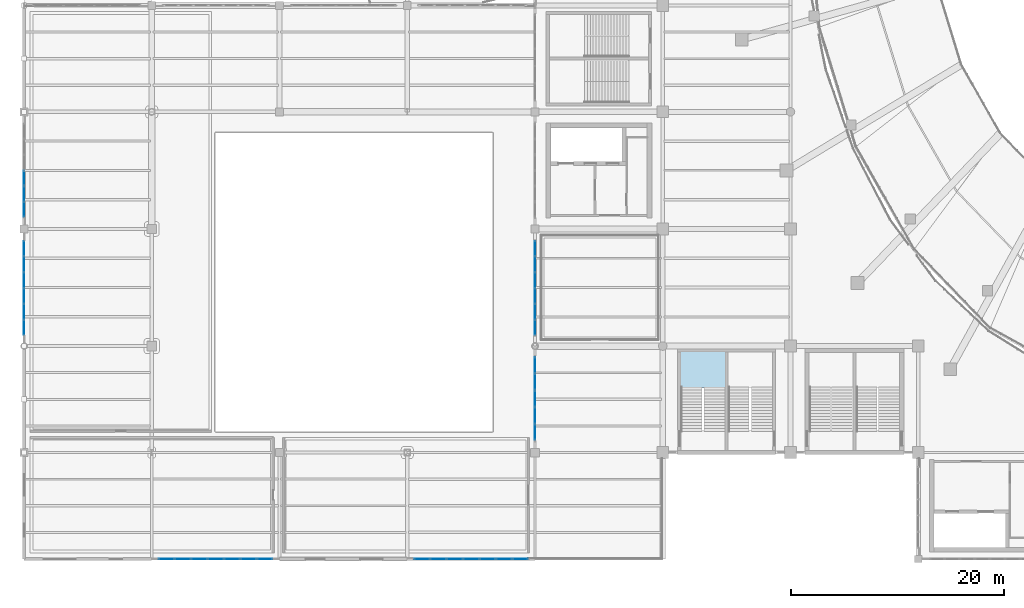
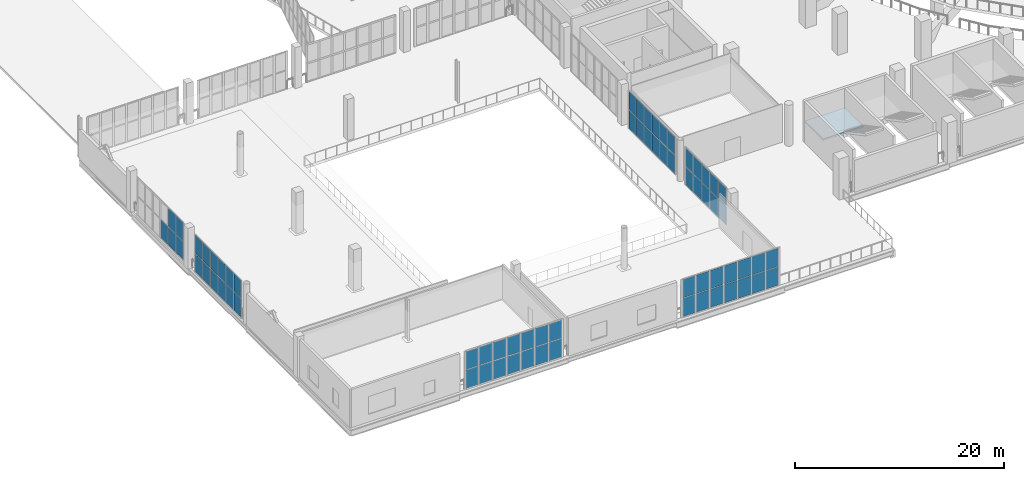
# One storey, part 92 of 136: 67 plates, 1 slab, 7 elements without a shape of their own.
"""IFC4 building model written with IfcOpenShell, lengths in metres."""

from ifc_helpers import new_model, si_unit, direction, frame, origin, origin_2d, place, context, subcontext, project, spatial, polyline, rectangle, outline, extrude, material, layer, layer_set, type_object, element, aggregate, save


model = new_model("IFC4")

# Units and contexts
model_context = context("Model", 3, precision=1e-05, world=origin(), true_north=direction((0.0, 1.0)))
body_context = subcontext(model_context, "Body", "Model", "MODEL_VIEW")
ifc_project = project(units=[si_unit("LENGTHUNIT", "METRE"), si_unit("AREAUNIT", "SQUARE_METRE"), si_unit("VOLUMEUNIT", "CUBIC_METRE"), si_unit("PLANEANGLEUNIT", "RADIAN"), si_unit("MASSUNIT", "GRAM", prefix="KILO")], contexts=[model_context])

# Site, building, storey
site_placement = place(None, origin())
site = spatial("IfcSite", under=ifc_project, at=site_placement, CompositionType="ELEMENT")
building_placement = place(site_placement, origin())
building = spatial("IfcBuilding", under=site, at=building_placement, Name="Brinegate Civic Arena", CompositionType="ELEMENT")
storey_placement = place(building_placement, frame((0.0, 0.0, 5.39990234375)))
storey = spatial("IfcBuildingStorey", under=building, at=storey_placement, Name="L01", CompositionType="ELEMENT", Elevation=5.39990234375)

# Curtain wall, plates
ifc_material_1 = material(Name="Marine grade aluminium", Category="aluminium")
ifc_layer_1 = layer(ifc_material_1, 0.18505859375, Name="Marine grade aluminium")
ifc_layer_set_1 = layer_set([ifc_layer_1], Name="Marine grade aluminium")
curtain_wall_type_1 = type_object("IfcCurtainWallType", Name="CW-WING-GLAZED-03", PredefinedType="USERDEFINED", material=ifc_layer_set_1)
curtain_wall_1_placement = place(storey_placement, origin())
curtain_wall_1 = element("IfcCurtainWall", 1, at=curtain_wall_1_placement, inside=storey, type_object=curtain_wall_type_1, Name="Curtain Wall CWA-012", ObjectType="GLAZED CURTAIN WALL", PredefinedType="USERDEFINED")
ifc_material_2 = material(Name="Hurricane laminated low-E glass", Category="glass")
ifc_layer_2 = layer(ifc_material_2, 0.028076171875, Name="Hurricane laminated low-E glass")
ifc_layer_set_2 = layer_set([ifc_layer_2], Name="Hurricane laminated low-E glass")
plate_type_1 = type_object("IfcPlateType", Name="CW-PANEL-GLAZED-28", PredefinedType="CURTAIN_PANEL", material=ifc_layer_set_2)
plate_1_placement = place(storey_placement, frame((0.0, 21.7421875, 0.06494140625), z_axis=(0.0, 0.0, 1.0), x_axis=(0.0, 1.0, 0.0)))
plate_1 = element("IfcPlate", 2, at=plate_1_placement, type_object=plate_type_1, Name="CWA-012 panel 1.1", PredefinedType="CURTAIN_PANEL", context=body_context, shape_type="SweptSolid", body=[
    extrude(rectangle(XDim=1.392333984375, YDim=0.028076171875, at=origin_2d()), origin(), (0.0, 0.0, 1.0), 2.137451171875),
])
plate_2_placement = place(storey_placement, frame((0.0, 21.7421875, 2.267578125), z_axis=(0.0, 0.0, 1.0), x_axis=(0.0, 1.0, 0.0)))
plate_2 = element("IfcPlate", 3, at=plate_2_placement, type_object=plate_type_1, Name="CWA-012 panel 1.2", PredefinedType="CURTAIN_PANEL", context=body_context, shape_type="SweptSolid", body=[
    extrude(rectangle(XDim=1.392333984375, YDim=0.028076171875, at=origin_2d()), origin(), (0.0, 0.0, 1.0), 2.137451171875),
])
plate_3_placement = place(storey_placement, frame((0.0, 23.2158203125, 0.06494140625), z_axis=(0.0, 0.0, 1.0), x_axis=(0.0, 1.0, 0.0)))
plate_3 = element("IfcPlate", 4, at=plate_3_placement, type_object=plate_type_1, Name="CWA-012 panel 2.1", PredefinedType="CURTAIN_PANEL", context=body_context, shape_type="SweptSolid", body=[
    extrude(rectangle(XDim=1.4248046875, YDim=0.028076171875, at=origin_2d()), origin(), (0.0, 0.0, 1.0), 2.137451171875),
])
plate_4_placement = place(storey_placement, frame((0.0, 23.2158203125, 2.267578125), z_axis=(0.0, 0.0, 1.0), x_axis=(0.0, 1.0, 0.0)))
plate_4 = element("IfcPlate", 5, at=plate_4_placement, type_object=plate_type_1, Name="CWA-012 panel 2.2", PredefinedType="CURTAIN_PANEL", context=body_context, shape_type="SweptSolid", body=[
    extrude(rectangle(XDim=1.4248046875, YDim=0.028076171875, at=origin_2d()), origin(), (0.0, 0.0, 1.0), 2.137451171875),
])
plate_5_placement = place(storey_placement, frame((0.0, 24.70556640625, 0.06494140625), z_axis=(0.0, 0.0, 1.0), x_axis=(0.0, 1.0, 0.0)))
plate_5 = element("IfcPlate", 6, at=plate_5_placement, type_object=plate_type_1, Name="CWA-012 panel 3.1", PredefinedType="CURTAIN_PANEL", context=body_context, shape_type="SweptSolid", body=[
    extrude(rectangle(XDim=1.4248046875, YDim=0.028076171875, at=origin_2d()), origin(), (0.0, 0.0, 1.0), 2.137451171875),
])
plate_6_placement = place(storey_placement, frame((0.0, 24.70556640625, 2.267578125), z_axis=(0.0, 0.0, 1.0), x_axis=(0.0, 1.0, 0.0)))
plate_6 = element("IfcPlate", 7, at=plate_6_placement, type_object=plate_type_1, Name="CWA-012 panel 3.2", PredefinedType="CURTAIN_PANEL", context=body_context, shape_type="SweptSolid", body=[
    extrude(rectangle(XDim=1.4248046875, YDim=0.028076171875, at=origin_2d()), origin(), (0.0, 0.0, 1.0), 2.137451171875),
])
plate_7_placement = place(storey_placement, frame((0.0, 26.1953125, 0.06494140625), z_axis=(0.0, 0.0, 1.0), x_axis=(0.0, 1.0, 0.0)))
plate_7 = element("IfcPlate", 8, at=plate_7_placement, type_object=plate_type_1, Name="CWA-012 panel 4.1", PredefinedType="CURTAIN_PANEL", context=body_context, shape_type="SweptSolid", body=[
    extrude(rectangle(XDim=1.4248046875, YDim=0.028076171875, at=origin_2d()), origin(), (0.0, 0.0, 1.0), 2.137451171875),
])
plate_8_placement = place(storey_placement, frame((0.0, 26.1953125, 2.267578125), z_axis=(0.0, 0.0, 1.0), x_axis=(0.0, 1.0, 0.0)))
plate_8 = element("IfcPlate", 9, at=plate_8_placement, type_object=plate_type_1, Name="CWA-012 panel 4.2", PredefinedType="CURTAIN_PANEL", context=body_context, shape_type="SweptSolid", body=[
    extrude(rectangle(XDim=1.4248046875, YDim=0.028076171875, at=origin_2d()), origin(), (0.0, 0.0, 1.0), 2.137451171875),
])
plate_9_placement = place(storey_placement, frame((0.0, 27.685302734375, 0.06494140625), z_axis=(0.0, 0.0, 1.0), x_axis=(0.0, 1.0, 0.0)))
plate_9 = element("IfcPlate", 10, at=plate_9_placement, type_object=plate_type_1, Name="CWA-012 panel 5.1", PredefinedType="CURTAIN_PANEL", context=body_context, shape_type="SweptSolid", body=[
    extrude(rectangle(XDim=1.4248046875, YDim=0.028076171875, at=origin_2d()), origin(), (0.0, 0.0, 1.0), 2.137451171875),
])
plate_10_placement = place(storey_placement, frame((0.0, 27.685302734375, 2.267578125), z_axis=(0.0, 0.0, 1.0), x_axis=(0.0, 1.0, 0.0)))
plate_10 = element("IfcPlate", 11, at=plate_10_placement, type_object=plate_type_1, Name="CWA-012 panel 5.2", PredefinedType="CURTAIN_PANEL", context=body_context, shape_type="SweptSolid", body=[
    extrude(rectangle(XDim=1.4248046875, YDim=0.028076171875, at=origin_2d()), origin(), (0.0, 0.0, 1.0), 2.137451171875),
])
plate_11_placement = place(storey_placement, frame((0.0, 29.158935546875, 0.06494140625), z_axis=(0.0, 0.0, 1.0), x_axis=(0.0, 1.0, 0.0)))
plate_11 = element("IfcPlate", 12, at=plate_11_placement, type_object=plate_type_1, Name="CWA-012 panel 6.1", PredefinedType="CURTAIN_PANEL", context=body_context, shape_type="SweptSolid", body=[
    extrude(rectangle(XDim=1.392333984375, YDim=0.028076171875, at=origin_2d()), origin(), (0.0, 0.0, 1.0), 2.137451171875),
])
plate_12_placement = place(storey_placement, frame((0.0, 29.158935546875, 2.267578125), z_axis=(0.0, 0.0, 1.0), x_axis=(0.0, 1.0, 0.0)))
plate_12 = element("IfcPlate", 13, at=plate_12_placement, type_object=plate_type_1, Name="CWA-012 panel 6.2", PredefinedType="CURTAIN_PANEL", context=body_context, shape_type="SweptSolid", body=[
    extrude(rectangle(XDim=1.392333984375, YDim=0.028076171875, at=origin_2d()), origin(), (0.0, 0.0, 1.0), 2.137451171875),
])
aggregate(curtain_wall_1, [plate_1, plate_2, plate_3, plate_4, plate_5, plate_6, plate_7, plate_8, plate_9, plate_10, plate_11, plate_12])

ifc_layer_3 = layer(ifc_material_1, 0.199951171875, Name="Marine grade aluminium")
ifc_layer_set_3 = layer_set([ifc_layer_3], Name="Marine grade aluminium")
curtain_wall_type_2 = type_object("IfcCurtainWallType", Name="CW-BOWL-GLAZED-01", PredefinedType="USERDEFINED", material=ifc_layer_set_3)
curtain_wall_2_placement = place(storey_placement, origin())
curtain_wall_2 = element("IfcCurtainWall", 14, at=curtain_wall_2_placement, inside=storey, type_object=curtain_wall_type_2, Name="Curtain Wall CWA-046", ObjectType="GLAZED CURTAIN WALL", PredefinedType="USERDEFINED")
plate_13_placement = place(storey_placement, frame((48.0, 21.7421875, 0.06494140625), z_axis=(0.0, 0.0, 1.0), x_axis=(0.0, 1.0, 0.0)))
plate_13 = element("IfcPlate", 15, at=plate_13_placement, type_object=plate_type_1, Name="CWA-046 panel 1.1", PredefinedType="CURTAIN_PANEL", context=body_context, shape_type="SweptSolid", body=[
    extrude(rectangle(XDim=1.392333984375, YDim=0.028076171875, at=origin_2d()), origin(), (0.0, 0.0, 1.0), 2.137451171875),
])
plate_14_placement = place(storey_placement, frame((48.0, 21.7421875, 2.267578125), z_axis=(0.0, 0.0, 1.0), x_axis=(0.0, 1.0, 0.0)))
plate_14 = element("IfcPlate", 16, at=plate_14_placement, type_object=plate_type_1, Name="CWA-046 panel 1.2", PredefinedType="CURTAIN_PANEL", context=body_context, shape_type="SweptSolid", body=[
    extrude(rectangle(XDim=1.392333984375, YDim=0.028076171875, at=origin_2d()), origin(), (0.0, 0.0, 1.0), 2.137451171875),
])
plate_15_placement = place(storey_placement, frame((48.0, 23.2158203125, 0.06494140625), z_axis=(0.0, 0.0, 1.0), x_axis=(0.0, 1.0, 0.0)))
plate_15 = element("IfcPlate", 17, at=plate_15_placement, type_object=plate_type_1, Name="CWA-046 panel 2.1", PredefinedType="CURTAIN_PANEL", context=body_context, shape_type="SweptSolid", body=[
    extrude(rectangle(XDim=1.4248046875, YDim=0.028076171875, at=origin_2d()), origin(), (0.0, 0.0, 1.0), 2.137451171875),
])
plate_16_placement = place(storey_placement, frame((48.0, 23.2158203125, 2.267578125), z_axis=(0.0, 0.0, 1.0), x_axis=(0.0, 1.0, 0.0)))
plate_16 = element("IfcPlate", 18, at=plate_16_placement, type_object=plate_type_1, Name="CWA-046 panel 2.2", PredefinedType="CURTAIN_PANEL", context=body_context, shape_type="SweptSolid", body=[
    extrude(rectangle(XDim=1.4248046875, YDim=0.028076171875, at=origin_2d()), origin(), (0.0, 0.0, 1.0), 2.137451171875),
])
plate_17_placement = place(storey_placement, frame((48.0, 24.70556640625, 0.06494140625), z_axis=(0.0, 0.0, 1.0), x_axis=(0.0, 1.0, 0.0)))
plate_17 = element("IfcPlate", 19, at=plate_17_placement, type_object=plate_type_1, Name="CWA-046 panel 3.1", PredefinedType="CURTAIN_PANEL", context=body_context, shape_type="SweptSolid", body=[
    extrude(rectangle(XDim=1.4248046875, YDim=0.028076171875, at=origin_2d()), origin(), (0.0, 0.0, 1.0), 2.137451171875),
])
plate_18_placement = place(storey_placement, frame((48.0, 24.70556640625, 2.267578125), z_axis=(0.0, 0.0, 1.0), x_axis=(0.0, 1.0, 0.0)))
plate_18 = element("IfcPlate", 20, at=plate_18_placement, type_object=plate_type_1, Name="CWA-046 panel 3.2", PredefinedType="CURTAIN_PANEL", context=body_context, shape_type="SweptSolid", body=[
    extrude(rectangle(XDim=1.4248046875, YDim=0.028076171875, at=origin_2d()), origin(), (0.0, 0.0, 1.0), 2.137451171875),
])
plate_19_placement = place(storey_placement, frame((48.0, 26.1953125, 0.06494140625), z_axis=(0.0, 0.0, 1.0), x_axis=(0.0, 1.0, 0.0)))
plate_19 = element("IfcPlate", 21, at=plate_19_placement, type_object=plate_type_1, Name="CWA-046 panel 4.1", PredefinedType="CURTAIN_PANEL", context=body_context, shape_type="SweptSolid", body=[
    extrude(rectangle(XDim=1.4248046875, YDim=0.028076171875, at=origin_2d()), origin(), (0.0, 0.0, 1.0), 2.137451171875),
])
plate_20_placement = place(storey_placement, frame((48.0, 26.1953125, 2.267578125), z_axis=(0.0, 0.0, 1.0), x_axis=(0.0, 1.0, 0.0)))
plate_20 = element("IfcPlate", 22, at=plate_20_placement, type_object=plate_type_1, Name="CWA-046 panel 4.2", PredefinedType="CURTAIN_PANEL", context=body_context, shape_type="SweptSolid", body=[
    extrude(rectangle(XDim=1.4248046875, YDim=0.028076171875, at=origin_2d()), origin(), (0.0, 0.0, 1.0), 2.137451171875),
])
plate_21_placement = place(storey_placement, frame((48.0, 27.685302734375, 0.06494140625), z_axis=(0.0, 0.0, 1.0), x_axis=(0.0, 1.0, 0.0)))
plate_21 = element("IfcPlate", 23, at=plate_21_placement, type_object=plate_type_1, Name="CWA-046 panel 5.1", PredefinedType="CURTAIN_PANEL", context=body_context, shape_type="SweptSolid", body=[
    extrude(rectangle(XDim=1.4248046875, YDim=0.028076171875, at=origin_2d()), origin(), (0.0, 0.0, 1.0), 2.137451171875),
])
plate_22_placement = place(storey_placement, frame((48.0, 27.685302734375, 2.267578125), z_axis=(0.0, 0.0, 1.0), x_axis=(0.0, 1.0, 0.0)))
plate_22 = element("IfcPlate", 24, at=plate_22_placement, type_object=plate_type_1, Name="CWA-046 panel 5.2", PredefinedType="CURTAIN_PANEL", context=body_context, shape_type="SweptSolid", body=[
    extrude(rectangle(XDim=1.4248046875, YDim=0.028076171875, at=origin_2d()), origin(), (0.0, 0.0, 1.0), 2.137451171875),
])
plate_23_placement = place(storey_placement, frame((48.0, 29.158935546875, 0.06494140625), z_axis=(0.0, 0.0, 1.0), x_axis=(0.0, 1.0, 0.0)))
plate_23 = element("IfcPlate", 25, at=plate_23_placement, type_object=plate_type_1, Name="CWA-046 panel 6.1", PredefinedType="CURTAIN_PANEL", context=body_context, shape_type="SweptSolid", body=[
    extrude(rectangle(XDim=1.392333984375, YDim=0.028076171875, at=origin_2d()), origin(), (0.0, 0.0, 1.0), 2.137451171875),
])
plate_24_placement = place(storey_placement, frame((48.0, 29.158935546875, 2.267578125), z_axis=(0.0, 0.0, 1.0), x_axis=(0.0, 1.0, 0.0)))
plate_24 = element("IfcPlate", 26, at=plate_24_placement, type_object=plate_type_1, Name="CWA-046 panel 6.2", PredefinedType="CURTAIN_PANEL", context=body_context, shape_type="SweptSolid", body=[
    extrude(rectangle(XDim=1.392333984375, YDim=0.028076171875, at=origin_2d()), origin(), (0.0, 0.0, 1.0), 2.137451171875),
])
aggregate(curtain_wall_2, [plate_13, plate_14, plate_15, plate_16, plate_17, plate_18, plate_19, plate_20, plate_21, plate_22, plate_23, plate_24])

curtain_wall_3_placement = place(storey_placement, origin())
curtain_wall_3 = element("IfcCurtainWall", 27, at=curtain_wall_3_placement, inside=storey, type_object=curtain_wall_type_1, Name="Curtain Wall CWA-013", ObjectType="GLAZED CURTAIN WALL", PredefinedType="USERDEFINED")
ifc_layer_4 = layer(ifc_material_2, 0.031982421875, Name="Hurricane laminated low-E glass")
ifc_layer_set_4 = layer_set([ifc_layer_4], Name="Hurricane laminated low-E glass")
plate_type_2 = type_object("IfcPlateType", Name="CW-PANEL-GLAZED-32", PredefinedType="CURTAIN_PANEL", material=ifc_layer_set_4)
plate_25_placement = place(storey_placement, frame((0.0, 32.8330078125, 0.06494140625), z_axis=(0.0, 0.0, 1.0), x_axis=(0.0, 1.0, 0.0)))
plate_25 = element("IfcPlate", 28, at=plate_25_placement, type_object=plate_type_2, Name="CWA-013 panel 1.1", PredefinedType="CURTAIN_PANEL", context=body_context, shape_type="SweptSolid", body=[
    extrude(rectangle(XDim=1.375732421875, YDim=0.031982421875, at=origin_2d()), origin(), (0.0, 0.0, 1.0), 2.137451171875),
])
plate_26_placement = place(storey_placement, frame((0.0, 32.8330078125, 2.267578125), z_axis=(0.0, 0.0, 1.0), x_axis=(0.0, 1.0, 0.0)))
plate_26 = element("IfcPlate", 29, at=plate_26_placement, type_object=plate_type_2, Name="CWA-013 panel 1.2", PredefinedType="CURTAIN_PANEL", context=body_context, shape_type="SweptSolid", body=[
    extrude(rectangle(XDim=1.375732421875, YDim=0.031982421875, at=origin_2d()), origin(), (0.0, 0.0, 1.0), 2.137451171875),
])
plate_27_placement = place(storey_placement, frame((0.0, 34.2900390625, 0.06494140625), z_axis=(0.0, 0.0, 1.0), x_axis=(0.0, 1.0, 0.0)))
plate_27 = element("IfcPlate", 30, at=plate_27_placement, type_object=plate_type_2, Name="CWA-013 panel 2.1", PredefinedType="CURTAIN_PANEL", context=body_context, shape_type="SweptSolid", body=[
    extrude(rectangle(XDim=1.408447265625, YDim=0.031982421875, at=origin_2d()), origin(), (0.0, 0.0, 1.0), 2.137451171875),
])
plate_28_placement = place(storey_placement, frame((0.0, 34.2900390625, 2.267578125), z_axis=(0.0, 0.0, 1.0), x_axis=(0.0, 1.0, 0.0)))
plate_28 = element("IfcPlate", 31, at=plate_28_placement, type_object=plate_type_2, Name="CWA-013 panel 2.2", PredefinedType="CURTAIN_PANEL", context=body_context, shape_type="SweptSolid", body=[
    extrude(rectangle(XDim=1.408447265625, YDim=0.031982421875, at=origin_2d()), origin(), (0.0, 0.0, 1.0), 2.137451171875),
])
plate_29_placement = place(storey_placement, frame((0.0, 35.763427734375, 0.06494140625), z_axis=(0.0, 0.0, 1.0), x_axis=(0.0, 1.0, 0.0)))
plate_29 = element("IfcPlate", 32, at=plate_29_placement, type_object=plate_type_2, Name="CWA-013 panel 3.1", PredefinedType="CURTAIN_PANEL", context=body_context, shape_type="SweptSolid", body=[
    extrude(rectangle(XDim=1.408447265625, YDim=0.031982421875, at=origin_2d()), origin(), (0.0, 0.0, 1.0), 2.137451171875),
])
aggregate(curtain_wall_3, [plate_25, plate_26, plate_27, plate_28, plate_29])

curtain_wall_4_placement = place(storey_placement, origin())
curtain_wall_4 = element("IfcCurtainWall", 33, at=curtain_wall_4_placement, inside=storey, type_object=curtain_wall_type_1, Name="Curtain Wall CWA-014", ObjectType="GLAZED CURTAIN WALL", PredefinedType="USERDEFINED")
ifc_layer_5 = layer(ifc_material_2, 0.035888671875, Name="Hurricane laminated low-E glass")
ifc_layer_set_5 = layer_set([ifc_layer_5], Name="Hurricane laminated low-E glass")
plate_type_3 = type_object("IfcPlateType", Name="CW-PANEL-GLAZED-36", PredefinedType="CURTAIN_PANEL", material=ifc_layer_set_5)
plate_30_placement = place(storey_placement, frame((13.39013671875, 0.0, 0.074951171875), z_axis=(0.0, 0.0, 1.0), x_axis=(1.0, 0.0, 0.0)))
plate_30 = element("IfcPlate", 34, at=plate_30_placement, type_object=plate_type_3, Name="CWA-014 panel 1.1", PredefinedType="CURTAIN_PANEL", context=body_context, shape_type="SweptSolid", body=[
    extrude(rectangle(XDim=1.430419921875, YDim=0.035888671875, at=origin_2d()), origin(), (0.0, 0.0, 1.0), 2.12255859375),
])
plate_31_placement = place(storey_placement, frame((13.39013671875, 0.0, 2.2724609375), z_axis=(0.0, 0.0, 1.0), x_axis=(1.0, 0.0, 0.0)))
plate_31 = element("IfcPlate", 35, at=plate_31_placement, type_object=plate_type_3, Name="CWA-014 panel 1.2", PredefinedType="CURTAIN_PANEL", context=body_context, shape_type="SweptSolid", body=[
    extrude(rectangle(XDim=1.430419921875, YDim=0.035888671875, at=origin_2d()), origin(), (0.0, 0.0, 1.0), 2.12255859375),
])
plate_32_placement = place(storey_placement, frame((14.914306640625, 0.0, 0.074951171875), z_axis=(0.0, 0.0, 1.0), x_axis=(1.0, 0.0, 0.0)))
plate_32 = element("IfcPlate", 36, at=plate_32_placement, type_object=plate_type_3, Name="CWA-014 panel 2.1", PredefinedType="CURTAIN_PANEL", context=body_context, shape_type="SweptSolid", body=[
    extrude(rectangle(XDim=1.4677734375, YDim=0.035888671875, at=origin_2d()), origin(), (0.0, 0.0, 1.0), 2.12255859375),
])
plate_33_placement = place(storey_placement, frame((14.914306640625, 0.0, 2.2724609375), z_axis=(0.0, 0.0, 1.0), x_axis=(1.0, 0.0, 0.0)))
plate_33 = element("IfcPlate", 37, at=plate_33_placement, type_object=plate_type_3, Name="CWA-014 panel 2.2", PredefinedType="CURTAIN_PANEL", context=body_context, shape_type="SweptSolid", body=[
    extrude(rectangle(XDim=1.4677734375, YDim=0.035888671875, at=origin_2d()), origin(), (0.0, 0.0, 1.0), 2.12255859375),
])
plate_34_placement = place(storey_placement, frame((16.45703125, 0.0, 0.074951171875), z_axis=(0.0, 0.0, 1.0), x_axis=(1.0, 0.0, 0.0)))
plate_34 = element("IfcPlate", 38, at=plate_34_placement, type_object=plate_type_3, Name="CWA-014 panel 3.1", PredefinedType="CURTAIN_PANEL", context=body_context, shape_type="SweptSolid", body=[
    extrude(rectangle(XDim=1.4677734375, YDim=0.035888671875, at=origin_2d()), origin(), (0.0, 0.0, 1.0), 2.12255859375),
])
plate_35_placement = place(storey_placement, frame((16.45703125, 0.0, 2.2724609375), z_axis=(0.0, 0.0, 1.0), x_axis=(1.0, 0.0, 0.0)))
plate_35 = element("IfcPlate", 39, at=plate_35_placement, type_object=plate_type_3, Name="CWA-014 panel 3.2", PredefinedType="CURTAIN_PANEL", context=body_context, shape_type="SweptSolid", body=[
    extrude(rectangle(XDim=1.4677734375, YDim=0.035888671875, at=origin_2d()), origin(), (0.0, 0.0, 1.0), 2.12255859375),
])
plate_36_placement = place(storey_placement, frame((18.0, 0.0, 0.074951171875), z_axis=(0.0, 0.0, 1.0), x_axis=(1.0, 0.0, 0.0)))
plate_36 = element("IfcPlate", 40, at=plate_36_placement, type_object=plate_type_3, Name="CWA-014 panel 4.1", PredefinedType="CURTAIN_PANEL", context=body_context, shape_type="SweptSolid", body=[
    extrude(rectangle(XDim=1.4677734375, YDim=0.035888671875, at=origin_2d()), origin(), (0.0, 0.0, 1.0), 2.12255859375),
])
plate_37_placement = place(storey_placement, frame((18.0, 0.0, 2.2724609375), z_axis=(0.0, 0.0, 1.0), x_axis=(1.0, 0.0, 0.0)))
plate_37 = element("IfcPlate", 41, at=plate_37_placement, type_object=plate_type_3, Name="CWA-014 panel 4.2", PredefinedType="CURTAIN_PANEL", context=body_context, shape_type="SweptSolid", body=[
    extrude(rectangle(XDim=1.4677734375, YDim=0.035888671875, at=origin_2d()), origin(), (0.0, 0.0, 1.0), 2.12255859375),
])
plate_38_placement = place(storey_placement, frame((19.54296875, 0.0, 0.074951171875), z_axis=(0.0, 0.0, 1.0), x_axis=(1.0, 0.0, 0.0)))
plate_38 = element("IfcPlate", 42, at=plate_38_placement, type_object=plate_type_3, Name="CWA-014 panel 5.1", PredefinedType="CURTAIN_PANEL", context=body_context, shape_type="SweptSolid", body=[
    extrude(rectangle(XDim=1.4677734375, YDim=0.035888671875, at=origin_2d()), origin(), (0.0, 0.0, 1.0), 2.12255859375),
])
plate_39_placement = place(storey_placement, frame((19.54296875, 0.0, 2.2724609375), z_axis=(0.0, 0.0, 1.0), x_axis=(1.0, 0.0, 0.0)))
plate_39 = element("IfcPlate", 43, at=plate_39_placement, type_object=plate_type_3, Name="CWA-014 panel 5.2", PredefinedType="CURTAIN_PANEL", context=body_context, shape_type="SweptSolid", body=[
    extrude(rectangle(XDim=1.4677734375, YDim=0.035888671875, at=origin_2d()), origin(), (0.0, 0.0, 1.0), 2.12255859375),
])
plate_40_placement = place(storey_placement, frame((21.085693359375, 0.0, 0.074951171875), z_axis=(0.0, 0.0, 1.0), x_axis=(1.0, 0.0, 0.0)))
plate_40 = element("IfcPlate", 44, at=plate_40_placement, type_object=plate_type_3, Name="CWA-014 panel 6.1", PredefinedType="CURTAIN_PANEL", context=body_context, shape_type="SweptSolid", body=[
    extrude(rectangle(XDim=1.4677734375, YDim=0.035888671875, at=origin_2d()), origin(), (0.0, 0.0, 1.0), 2.12255859375),
])
plate_41_placement = place(storey_placement, frame((21.085693359375, 0.0, 2.2724609375), z_axis=(0.0, 0.0, 1.0), x_axis=(1.0, 0.0, 0.0)))
plate_41 = element("IfcPlate", 45, at=plate_41_placement, type_object=plate_type_3, Name="CWA-014 panel 6.2", PredefinedType="CURTAIN_PANEL", context=body_context, shape_type="SweptSolid", body=[
    extrude(rectangle(XDim=1.4677734375, YDim=0.035888671875, at=origin_2d()), origin(), (0.0, 0.0, 1.0), 2.12255859375),
])
plate_42_placement = place(storey_placement, frame((22.60986328125, 0.0, 0.074951171875), z_axis=(0.0, 0.0, 1.0), x_axis=(1.0, 0.0, 0.0)))
plate_42 = element("IfcPlate", 46, at=plate_42_placement, type_object=plate_type_3, Name="CWA-014 panel 7.1", PredefinedType="CURTAIN_PANEL", context=body_context, shape_type="SweptSolid", body=[
    extrude(rectangle(XDim=1.430419921875, YDim=0.035888671875, at=origin_2d()), origin(), (0.0, 0.0, 1.0), 2.12255859375),
])
plate_43_placement = place(storey_placement, frame((22.60986328125, 0.0, 2.2724609375), z_axis=(0.0, 0.0, 1.0), x_axis=(1.0, 0.0, 0.0)))
plate_43 = element("IfcPlate", 47, at=plate_43_placement, type_object=plate_type_3, Name="CWA-014 panel 7.2", PredefinedType="CURTAIN_PANEL", context=body_context, shape_type="SweptSolid", body=[
    extrude(rectangle(XDim=1.430419921875, YDim=0.035888671875, at=origin_2d()), origin(), (0.0, 0.0, 1.0), 2.12255859375),
])
aggregate(curtain_wall_4, [plate_30, plate_31, plate_32, plate_33, plate_34, plate_35, plate_36, plate_37, plate_38, plate_39, plate_40, plate_41, plate_42, plate_43])

curtain_wall_5_placement = place(storey_placement, origin())
curtain_wall_5 = element("IfcCurtainWall", 48, at=curtain_wall_5_placement, inside=storey, type_object=curtain_wall_type_1, Name="Curtain Wall CWA-017", ObjectType="GLAZED CURTAIN WALL", PredefinedType="USERDEFINED")
plate_44_placement = place(storey_placement, frame((37.39013671875, 0.0, 0.06494140625), z_axis=(0.0, 0.0, 1.0), x_axis=(1.0, 0.0, 0.0)))
plate_44 = element("IfcPlate", 49, at=plate_44_placement, type_object=plate_type_3, Name="CWA-017 panel 1.1", PredefinedType="CURTAIN_PANEL", context=body_context, shape_type="SweptSolid", body=[
    extrude(rectangle(XDim=1.430419921875, YDim=0.035888671875, at=origin_2d()), origin(), (0.0, 0.0, 1.0), 2.137451171875),
])
plate_45_placement = place(storey_placement, frame((37.39013671875, 0.0, 2.267578125), z_axis=(0.0, 0.0, 1.0), x_axis=(1.0, 0.0, 0.0)))
plate_45 = element("IfcPlate", 50, at=plate_45_placement, type_object=plate_type_3, Name="CWA-017 panel 1.2", PredefinedType="CURTAIN_PANEL", context=body_context, shape_type="SweptSolid", body=[
    extrude(rectangle(XDim=1.430419921875, YDim=0.035888671875, at=origin_2d()), origin(), (0.0, 0.0, 1.0), 2.137451171875),
])
plate_46_placement = place(storey_placement, frame((38.914306640625, 0.0, 0.06494140625), z_axis=(0.0, 0.0, 1.0), x_axis=(1.0, 0.0, 0.0)))
plate_46 = element("IfcPlate", 51, at=plate_46_placement, type_object=plate_type_3, Name="CWA-017 panel 2.1", PredefinedType="CURTAIN_PANEL", context=body_context, shape_type="SweptSolid", body=[
    extrude(rectangle(XDim=1.4677734375, YDim=0.035888671875, at=origin_2d()), origin(), (0.0, 0.0, 1.0), 2.137451171875),
])
plate_47_placement = place(storey_placement, frame((38.914306640625, 0.0, 2.267578125), z_axis=(0.0, 0.0, 1.0), x_axis=(1.0, 0.0, 0.0)))
plate_47 = element("IfcPlate", 52, at=plate_47_placement, type_object=plate_type_3, Name="CWA-017 panel 2.2", PredefinedType="CURTAIN_PANEL", context=body_context, shape_type="SweptSolid", body=[
    extrude(rectangle(XDim=1.4677734375, YDim=0.035888671875, at=origin_2d()), origin(), (0.0, 0.0, 1.0), 2.137451171875),
])
plate_48_placement = place(storey_placement, frame((40.45703125, 0.0, 0.06494140625), z_axis=(0.0, 0.0, 1.0), x_axis=(1.0, 0.0, 0.0)))
plate_48 = element("IfcPlate", 53, at=plate_48_placement, type_object=plate_type_3, Name="CWA-017 panel 3.1", PredefinedType="CURTAIN_PANEL", context=body_context, shape_type="SweptSolid", body=[
    extrude(rectangle(XDim=1.4677734375, YDim=0.035888671875, at=origin_2d()), origin(), (0.0, 0.0, 1.0), 2.137451171875),
])
plate_49_placement = place(storey_placement, frame((40.45703125, 0.0, 2.267578125), z_axis=(0.0, 0.0, 1.0), x_axis=(1.0, 0.0, 0.0)))
plate_49 = element("IfcPlate", 54, at=plate_49_placement, type_object=plate_type_3, Name="CWA-017 panel 3.2", PredefinedType="CURTAIN_PANEL", context=body_context, shape_type="SweptSolid", body=[
    extrude(rectangle(XDim=1.4677734375, YDim=0.035888671875, at=origin_2d()), origin(), (0.0, 0.0, 1.0), 2.137451171875),
])
plate_50_placement = place(storey_placement, frame((42.0, 0.0, 0.06494140625), z_axis=(0.0, 0.0, 1.0), x_axis=(1.0, 0.0, 0.0)))
plate_50 = element("IfcPlate", 55, at=plate_50_placement, type_object=plate_type_3, Name="CWA-017 panel 4.1", PredefinedType="CURTAIN_PANEL", context=body_context, shape_type="SweptSolid", body=[
    extrude(rectangle(XDim=1.4677734375, YDim=0.035888671875, at=origin_2d()), origin(), (0.0, 0.0, 1.0), 2.137451171875),
])
plate_51_placement = place(storey_placement, frame((42.0, 0.0, 2.267578125), z_axis=(0.0, 0.0, 1.0), x_axis=(1.0, 0.0, 0.0)))
plate_51 = element("IfcPlate", 56, at=plate_51_placement, type_object=plate_type_3, Name="CWA-017 panel 4.2", PredefinedType="CURTAIN_PANEL", context=body_context, shape_type="SweptSolid", body=[
    extrude(rectangle(XDim=1.4677734375, YDim=0.035888671875, at=origin_2d()), origin(), (0.0, 0.0, 1.0), 2.137451171875),
])
plate_52_placement = place(storey_placement, frame((43.54296875, 0.0, 0.06494140625), z_axis=(0.0, 0.0, 1.0), x_axis=(1.0, 0.0, 0.0)))
plate_52 = element("IfcPlate", 57, at=plate_52_placement, type_object=plate_type_3, Name="CWA-017 panel 5.1", PredefinedType="CURTAIN_PANEL", context=body_context, shape_type="SweptSolid", body=[
    extrude(rectangle(XDim=1.4677734375, YDim=0.035888671875, at=origin_2d()), origin(), (0.0, 0.0, 1.0), 2.137451171875),
])
plate_53_placement = place(storey_placement, frame((43.54296875, 0.0, 2.267578125), z_axis=(0.0, 0.0, 1.0), x_axis=(1.0, 0.0, 0.0)))
plate_53 = element("IfcPlate", 58, at=plate_53_placement, type_object=plate_type_3, Name="CWA-017 panel 5.2", PredefinedType="CURTAIN_PANEL", context=body_context, shape_type="SweptSolid", body=[
    extrude(rectangle(XDim=1.4677734375, YDim=0.035888671875, at=origin_2d()), origin(), (0.0, 0.0, 1.0), 2.137451171875),
])
plate_54_placement = place(storey_placement, frame((45.085693359375, 0.0, 0.06494140625), z_axis=(0.0, 0.0, 1.0), x_axis=(1.0, 0.0, 0.0)))
plate_54 = element("IfcPlate", 59, at=plate_54_placement, type_object=plate_type_3, Name="CWA-017 panel 6.1", PredefinedType="CURTAIN_PANEL", context=body_context, shape_type="SweptSolid", body=[
    extrude(rectangle(XDim=1.4677734375, YDim=0.035888671875, at=origin_2d()), origin(), (0.0, 0.0, 1.0), 2.137451171875),
])
plate_55_placement = place(storey_placement, frame((45.085693359375, 0.0, 2.267578125), z_axis=(0.0, 0.0, 1.0), x_axis=(1.0, 0.0, 0.0)))
plate_55 = element("IfcPlate", 60, at=plate_55_placement, type_object=plate_type_3, Name="CWA-017 panel 6.2", PredefinedType="CURTAIN_PANEL", context=body_context, shape_type="SweptSolid", body=[
    extrude(rectangle(XDim=1.4677734375, YDim=0.035888671875, at=origin_2d()), origin(), (0.0, 0.0, 1.0), 2.137451171875),
])
plate_56_placement = place(storey_placement, frame((46.60986328125, 0.0, 0.06494140625), z_axis=(0.0, 0.0, 1.0), x_axis=(1.0, 0.0, 0.0)))
plate_56 = element("IfcPlate", 61, at=plate_56_placement, type_object=plate_type_3, Name="CWA-017 panel 7.1", PredefinedType="CURTAIN_PANEL", context=body_context, shape_type="SweptSolid", body=[
    extrude(rectangle(XDim=1.430419921875, YDim=0.035888671875, at=origin_2d()), origin(), (0.0, 0.0, 1.0), 2.137451171875),
])
plate_57_placement = place(storey_placement, frame((46.60986328125, 0.0, 2.267578125), z_axis=(0.0, 0.0, 1.0), x_axis=(1.0, 0.0, 0.0)))
plate_57 = element("IfcPlate", 62, at=plate_57_placement, type_object=plate_type_3, Name="CWA-017 panel 7.2", PredefinedType="CURTAIN_PANEL", context=body_context, shape_type="SweptSolid", body=[
    extrude(rectangle(XDim=1.430419921875, YDim=0.035888671875, at=origin_2d()), origin(), (0.0, 0.0, 1.0), 2.137451171875),
])
aggregate(curtain_wall_5, [plate_44, plate_45, plate_46, plate_47, plate_48, plate_49, plate_50, plate_51, plate_52, plate_53, plate_54, plate_55, plate_56, plate_57])

curtain_wall_6_placement = place(storey_placement, origin())
curtain_wall_6 = element("IfcCurtainWall", 63, at=curtain_wall_6_placement, inside=storey, type_object=curtain_wall_type_2, Name="Curtain Wall CWA-044", ObjectType="GLAZED CURTAIN WALL", PredefinedType="USERDEFINED")
plate_58_placement = place(storey_placement, frame((48.0, 11.925048828125, 0.074951171875), z_axis=(0.0, 0.0, 1.0), x_axis=(0.0, 1.0, 0.0)))
plate_58 = element("IfcPlate", 64, at=plate_58_placement, type_object=plate_type_3, Name="CWA-044 panel 1.1", PredefinedType="CURTAIN_PANEL", context=body_context, shape_type="SweptSolid", body=[
    extrude(rectangle(XDim=1.468017578125, YDim=0.035888671875, at=origin_2d()), origin(), (0.0, 0.0, 1.0), 2.12255859375),
])
plate_59_placement = place(storey_placement, frame((48.0, 11.925048828125, 2.2724609375), z_axis=(0.0, 0.0, 1.0), x_axis=(0.0, 1.0, 0.0)))
plate_59 = element("IfcPlate", 65, at=plate_59_placement, type_object=plate_type_3, Name="CWA-044 panel 1.2", PredefinedType="CURTAIN_PANEL", context=body_context, shape_type="SweptSolid", body=[
    extrude(rectangle(XDim=1.468017578125, YDim=0.035888671875, at=origin_2d()), origin(), (0.0, 0.0, 1.0), 2.12255859375),
])
plate_60_placement = place(storey_placement, frame((48.0, 13.48681640625, 0.074951171875), z_axis=(0.0, 0.0, 1.0), x_axis=(0.0, 1.0, 0.0)))
plate_60 = element("IfcPlate", 66, at=plate_60_placement, type_object=plate_type_3, Name="CWA-044 panel 2.1", PredefinedType="CURTAIN_PANEL", context=body_context, shape_type="SweptSolid", body=[
    extrude(rectangle(XDim=1.505615234375, YDim=0.035888671875, at=origin_2d()), origin(), (0.0, 0.0, 1.0), 2.12255859375),
])
plate_61_placement = place(storey_placement, frame((48.0, 13.48681640625, 2.2724609375), z_axis=(0.0, 0.0, 1.0), x_axis=(0.0, 1.0, 0.0)))
plate_61 = element("IfcPlate", 67, at=plate_61_placement, type_object=plate_type_3, Name="CWA-044 panel 2.2", PredefinedType="CURTAIN_PANEL", context=body_context, shape_type="SweptSolid", body=[
    extrude(rectangle(XDim=1.505615234375, YDim=0.035888671875, at=origin_2d()), origin(), (0.0, 0.0, 1.0), 2.12255859375),
])
plate_62_placement = place(storey_placement, frame((48.0, 15.0673828125, 0.074951171875), z_axis=(0.0, 0.0, 1.0), x_axis=(0.0, 1.0, 0.0)))
plate_62 = element("IfcPlate", 68, at=plate_62_placement, type_object=plate_type_3, Name="CWA-044 panel 3.1", PredefinedType="CURTAIN_PANEL", context=body_context, shape_type="SweptSolid", body=[
    extrude(rectangle(XDim=1.505615234375, YDim=0.035888671875, at=origin_2d()), origin(), (0.0, 0.0, 1.0), 2.12255859375),
])
plate_63_placement = place(storey_placement, frame((48.0, 15.0673828125, 2.2724609375), z_axis=(0.0, 0.0, 1.0), x_axis=(0.0, 1.0, 0.0)))
plate_63 = element("IfcPlate", 69, at=plate_63_placement, type_object=plate_type_3, Name="CWA-044 panel 3.2", PredefinedType="CURTAIN_PANEL", context=body_context, shape_type="SweptSolid", body=[
    extrude(rectangle(XDim=1.505615234375, YDim=0.035888671875, at=origin_2d()), origin(), (0.0, 0.0, 1.0), 2.12255859375),
])
plate_64_placement = place(storey_placement, frame((48.0, 16.648193359375, 0.074951171875), z_axis=(0.0, 0.0, 1.0), x_axis=(0.0, 1.0, 0.0)))
plate_64 = element("IfcPlate", 70, at=plate_64_placement, type_object=plate_type_3, Name="CWA-044 panel 4.1", PredefinedType="CURTAIN_PANEL", context=body_context, shape_type="SweptSolid", body=[
    extrude(rectangle(XDim=1.505615234375, YDim=0.035888671875, at=origin_2d()), origin(), (0.0, 0.0, 1.0), 2.12255859375),
])
plate_65_placement = place(storey_placement, frame((48.0, 16.648193359375, 2.2724609375), z_axis=(0.0, 0.0, 1.0), x_axis=(0.0, 1.0, 0.0)))
plate_65 = element("IfcPlate", 71, at=plate_65_placement, type_object=plate_type_3, Name="CWA-044 panel 4.2", PredefinedType="CURTAIN_PANEL", context=body_context, shape_type="SweptSolid", body=[
    extrude(rectangle(XDim=1.505615234375, YDim=0.035888671875, at=origin_2d()), origin(), (0.0, 0.0, 1.0), 2.12255859375),
])
plate_66_placement = place(storey_placement, frame((48.0, 18.2099609375, 0.074951171875), z_axis=(0.0, 0.0, 1.0), x_axis=(0.0, 1.0, 0.0)))
plate_66 = element("IfcPlate", 72, at=plate_66_placement, type_object=plate_type_3, Name="CWA-044 panel 5.1", PredefinedType="CURTAIN_PANEL", context=body_context, shape_type="SweptSolid", body=[
    extrude(rectangle(XDim=1.468017578125, YDim=0.035888671875, at=origin_2d()), origin(), (0.0, 0.0, 1.0), 2.12255859375),
])
plate_67_placement = place(storey_placement, frame((48.0, 18.2099609375, 2.2724609375), z_axis=(0.0, 0.0, 1.0), x_axis=(0.0, 1.0, 0.0)))
plate_67 = element("IfcPlate", 73, at=plate_67_placement, type_object=plate_type_3, Name="CWA-044 panel 5.2", PredefinedType="CURTAIN_PANEL", context=body_context, shape_type="SweptSolid", body=[
    extrude(rectangle(XDim=1.468017578125, YDim=0.035888671875, at=origin_2d()), origin(), (0.0, 0.0, 1.0), 2.12255859375),
])
aggregate(curtain_wall_6, [plate_58, plate_59, plate_60, plate_61, plate_62, plate_63, plate_64, plate_65, plate_66, plate_67])

# Stair, slab
ifc_material_3 = material(Name="Concrete C40/50", Category="concrete")
stair_type = type_object("IfcStairType", Name="STAIR-EXIT-3850", PredefinedType="HALF_TURN_STAIR", material=ifc_material_3)
stair_placement = place(storey_placement, origin())
stair = element("IfcStair", 74, at=stair_placement, inside=storey, type_object=stair_type, Name="Protected Exit Stair ST-02A (L01)", PredefinedType="HALF_TURN_STAIR")
ifc_layer_6 = layer(ifc_material_3, 0.199951171875, Name="Concrete C40/50")
ifc_layer_set_6 = layer_set([ifc_layer_6], Name="Concrete C40/50")
slab_type = type_object("IfcSlabType", Name="SLAB-LANDING-200", PredefinedType="LANDING", material=ifc_layer_set_6)
slab_placement = place(storey_placement, frame((0.0, 0.0, 2.2001953125)))
slab = element("IfcSlab", 75, at=slab_placement, type_object=slab_type, Name="ST-02A landing 1", PredefinedType="LANDING", context=body_context, shape_type="SweptSolid", body=[
    extrude(outline(polyline([(61.544921875, 16.090087890625), (66.0048828125, 16.090087890625), (66.0048828125, 19.60009765625), (61.544921875, 19.60009765625), (61.544921875, 16.090087890625)])), origin(), (0.0, 0.0, 1.0), 0.199951171875),
])
aggregate(stair, [slab])

save(model, "model.ifc")
